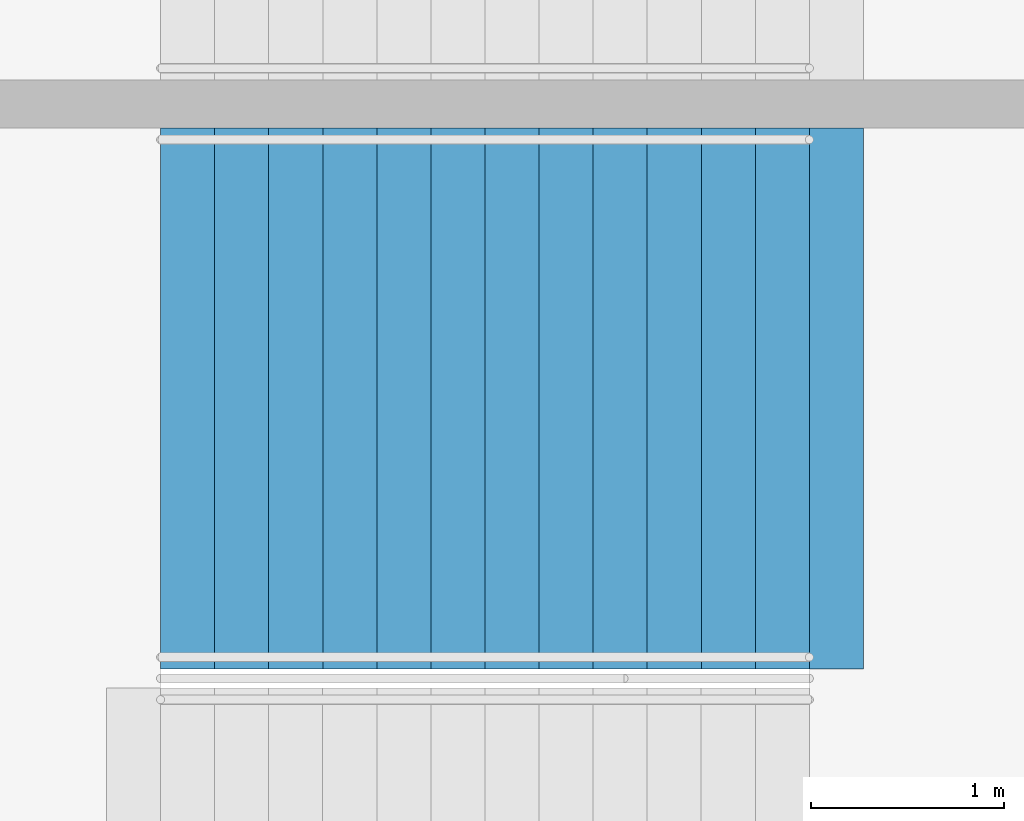
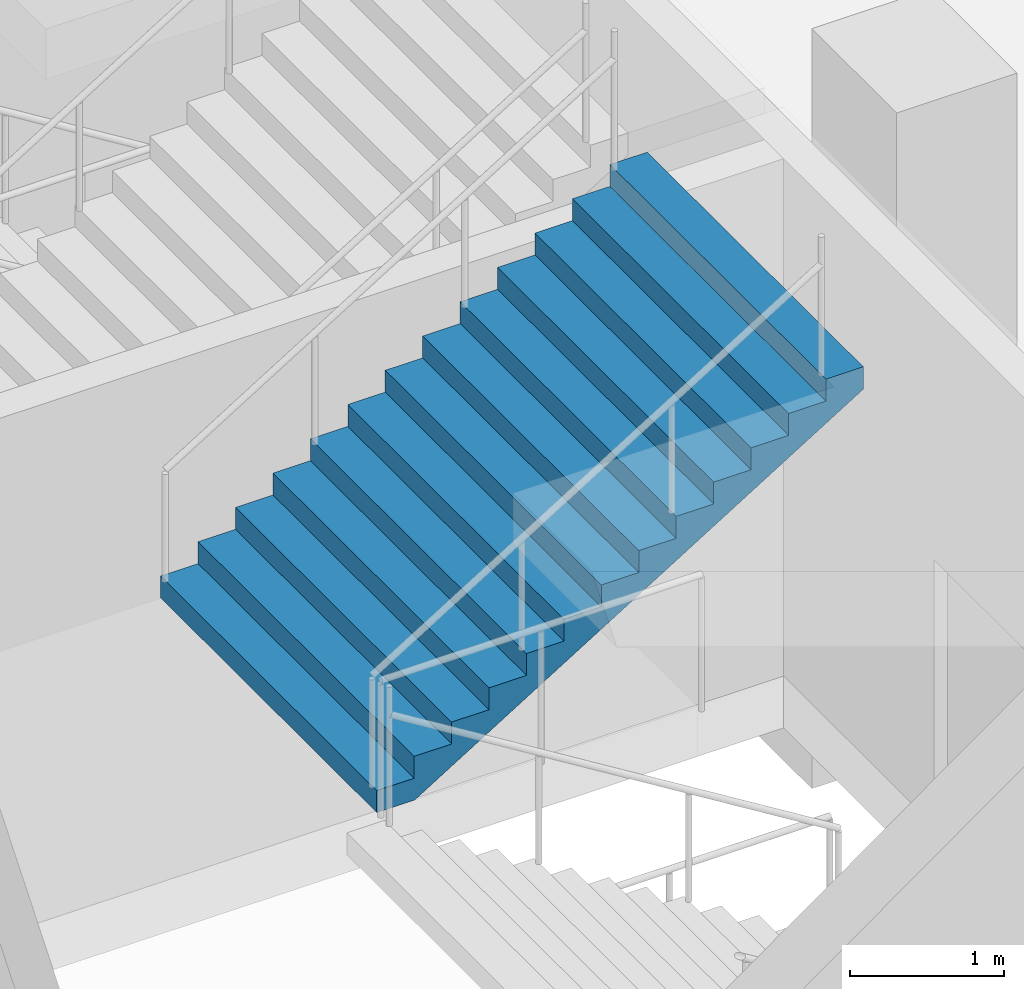
# One storey, part 117 of 199: 1 stair flight, 1 element without a shape of its own.
"""IFC4 building model written with IfcOpenShell, lengths in metres."""

from ifc_helpers import new_model, si_unit, direction, frame, origin, place, context, subcontext, project, spatial, faceted_brep, material, type_object, element, aggregate, save


model = new_model("IFC4")

# Units and contexts
model_context = context("Model", 3, precision=1e-05, world=origin(), true_north=direction((0.0, 1.0)))
body_context = subcontext(model_context, "Body", "Model", "MODEL_VIEW")
ifc_project = project(units=[si_unit("LENGTHUNIT", "METRE"), si_unit("AREAUNIT", "SQUARE_METRE"), si_unit("VOLUMEUNIT", "CUBIC_METRE"), si_unit("PLANEANGLEUNIT", "RADIAN"), si_unit("MASSUNIT", "GRAM", prefix="KILO")], contexts=[model_context])

# Site, building, storey
site_placement = place(None, origin())
site = spatial("IfcSite", under=ifc_project, at=site_placement, CompositionType="ELEMENT")
building_placement = place(site_placement, origin())
building = spatial("IfcBuilding", under=site, at=building_placement, Name="Ogive Plaza Stadium", CompositionType="ELEMENT")
storey_placement = place(building_placement, frame((0.0, 0.0, 4.5)))
storey = spatial("IfcBuildingStorey", under=building, at=storey_placement, Name="L01", CompositionType="ELEMENT", Elevation=4.5)

# Stair, stair flight
ifc_material_1 = material(Name="Concrete C40/50", Category="concrete")
stair_type = type_object("IfcStairType", Name="Exit stair", PredefinedType="STRAIGHT_RUN_STAIR", material=ifc_material_1)
stair_placement = place(storey_placement, origin())
stair = element("IfcStair", 1, at=stair_placement, inside=storey, type_object=stair_type, Name="Exit stair ST22B L01 to L02", PredefinedType="STRAIGHT_RUN_STAIR")
ifc_material_2 = material(Name="Concrete C40/50", Category="concrete")
stair_flight_type = type_object("IfcStairFlightType", Name="Exit stair flight", PredefinedType="STRAIGHT", material=ifc_material_2)
stair_flight_placement = place(storey_placement, frame((-79.7099609375, -39.02490234375, 2.25), z_axis=(0.0, 0.0, 1.0), x_axis=(1.0, 0.0, 0.0)))
stair_flight = element("IfcStairFlight", 2, at=stair_flight_placement, type_object=stair_flight_type, Name="ST22B flight 2", NumberOfRisers=13, NumberOfTreads=12, PredefinedType="STRAIGHT", RiserHeight=0.173076923, TreadLength=0.28, context=body_context, shape_type="Brep", body=[
    faceted_brep([(0.28515625, -1.39990234375, 0.0), (3.639892578125, -1.39990234375, 2.07373046875), (3.639892578125, -1.39990234375, 2.25), (3.360107421875, -1.39990234375, 2.25), (3.360107421875, -1.39990234375, 2.076904296875), (3.080078125, -1.39990234375, 2.076904296875), (3.080078125, -1.39990234375, 1.90380859375), (2.800048828125, -1.39990234375, 1.90380859375), (2.800048828125, -1.39990234375, 1.730712890625), (2.52001953125, -1.39990234375, 1.730712890625), (2.52001953125, -1.39990234375, 1.5576171875), (2.239990234375, -1.39990234375, 1.5576171875), (2.239990234375, -1.39990234375, 1.384521484375), (1.9599609375, -1.39990234375, 1.384521484375), (1.9599609375, -1.39990234375, 1.21142578125), (1.679931640625, -1.39990234375, 1.21142578125), (1.679931640625, -1.39990234375, 1.03857421875), (1.39990234375, -1.39990234375, 1.03857421875), (1.39990234375, -1.39990234375, 0.865478515625), (1.1201171875, -1.39990234375, 0.865478515625), (1.1201171875, -1.39990234375, 0.6923828125), (0.840087890625, -1.39990234375, 0.6923828125), (0.840087890625, -1.39990234375, 0.519287109375), (0.56005859375, -1.39990234375, 0.519287109375), (0.56005859375, -1.39990234375, 0.34619140625), (0.280029296875, -1.39990234375, 0.34619140625), (0.280029296875, -1.39990234375, 0.173095703125), (0.0, -1.39990234375, 0.173095703125), (0.0, -1.39990234375, 0.0), (0.0, 1.39990234375, 0.0), (0.0, 1.39990234375, 0.173095703125), (0.280029296875, 1.39990234375, 0.173095703125), (0.280029296875, 1.39990234375, 0.34619140625), (0.56005859375, 1.39990234375, 0.34619140625), (0.56005859375, 1.39990234375, 0.519287109375), (0.840087890625, 1.39990234375, 0.519287109375), (0.840087890625, 1.39990234375, 0.6923828125), (1.1201171875, 1.39990234375, 0.6923828125), (1.1201171875, 1.39990234375, 0.865478515625), (1.39990234375, 1.39990234375, 0.865478515625), (1.39990234375, 1.39990234375, 1.03857421875), (1.679931640625, 1.39990234375, 1.03857421875), (1.679931640625, 1.39990234375, 1.21142578125), (1.9599609375, 1.39990234375, 1.21142578125), (1.9599609375, 1.39990234375, 1.384521484375), (2.239990234375, 1.39990234375, 1.384521484375), (2.239990234375, 1.39990234375, 1.5576171875), (2.52001953125, 1.39990234375, 1.5576171875), (2.52001953125, 1.39990234375, 1.730712890625), (2.800048828125, 1.39990234375, 1.730712890625), (2.800048828125, 1.39990234375, 1.90380859375), (3.080078125, 1.39990234375, 1.90380859375), (3.080078125, 1.39990234375, 2.076904296875), (3.360107421875, 1.39990234375, 2.076904296875), (3.360107421875, 1.39990234375, 2.25), (3.639892578125, 1.39990234375, 2.25), (3.639892578125, 1.39990234375, 2.07373046875), (0.28515625, 1.39990234375, 0.0), (0.28515625, -1.0888671875, 0.0), (3.639892578125, -1.0888671875, 2.07373046875), (0.28515625, -0.77783203125, 0.0), (3.639892578125, -0.77783203125, 2.07373046875), (0.28515625, -0.466796875, 0.0), (3.639892578125, -0.466796875, 2.07373046875), (0.28515625, -0.155517578125, 0.0), (3.639892578125, -0.155517578125, 2.07373046875), (0.28515625, 0.155517578125, 0.0), (3.639892578125, 0.155517578125, 2.07373046875), (0.28515625, 0.466796875, 0.0), (3.639892578125, 0.466796875, 2.07373046875), (0.28515625, 0.77783203125, 0.0), (3.639892578125, 0.77783203125, 2.07373046875), (0.28515625, 1.0888671875, 0.0), (3.639892578125, 1.0888671875, 2.07373046875), (3.639892578125, -1.0888671875, 2.25), (3.639892578125, -0.77783203125, 2.25), (3.639892578125, -0.466796875, 2.25), (3.639892578125, -0.155517578125, 2.25), (3.639892578125, 0.155517578125, 2.25), (3.639892578125, 0.466796875, 2.25), (3.639892578125, 0.77783203125, 2.25), (3.639892578125, 1.0888671875, 2.25), (3.360107421875, -1.0888671875, 2.25), (3.360107421875, -0.77783203125, 2.25), (3.360107421875, -0.466796875, 2.25), (3.360107421875, -0.155517578125, 2.25), (3.360107421875, 0.155517578125, 2.25), (3.360107421875, 0.466796875, 2.25), (3.360107421875, 0.77783203125, 2.25), (3.360107421875, 1.0888671875, 2.25), (3.360107421875, -1.0888671875, 2.076904296875), (3.360107421875, -0.77783203125, 2.076904296875), (3.360107421875, -0.466796875, 2.076904296875), (3.360107421875, -0.155517578125, 2.076904296875), (3.360107421875, 0.155517578125, 2.076904296875), (3.360107421875, 0.466796875, 2.076904296875), (3.360107421875, 0.77783203125, 2.076904296875), (3.360107421875, 1.0888671875, 2.076904296875), (3.080078125, -1.0888671875, 2.076904296875), (3.080078125, -0.77783203125, 2.076904296875), (3.080078125, -0.466796875, 2.076904296875), (3.080078125, -0.155517578125, 2.076904296875), (3.080078125, 0.155517578125, 2.076904296875), (3.080078125, 0.466796875, 2.076904296875), (3.080078125, 0.77783203125, 2.076904296875), (3.080078125, 1.0888671875, 2.076904296875), (3.080078125, -1.0888671875, 1.90380859375), (3.080078125, -0.77783203125, 1.90380859375), (3.080078125, -0.466796875, 1.90380859375), (3.080078125, -0.155517578125, 1.90380859375), (3.080078125, 0.155517578125, 1.90380859375), (3.080078125, 0.466796875, 1.90380859375), (3.080078125, 0.77783203125, 1.90380859375), (3.080078125, 1.0888671875, 1.90380859375), (2.800048828125, -1.0888671875, 1.90380859375), (2.800048828125, -0.77783203125, 1.90380859375), (2.800048828125, -0.466796875, 1.90380859375), (2.800048828125, -0.155517578125, 1.90380859375), (2.800048828125, 0.155517578125, 1.90380859375), (2.800048828125, 0.466796875, 1.90380859375), (2.800048828125, 0.77783203125, 1.90380859375), (2.800048828125, 1.0888671875, 1.90380859375), (2.800048828125, -1.0888671875, 1.730712890625), (2.800048828125, -0.77783203125, 1.730712890625), (2.800048828125, -0.466796875, 1.730712890625), (2.800048828125, -0.155517578125, 1.730712890625), (2.800048828125, 0.155517578125, 1.730712890625), (2.800048828125, 0.466796875, 1.730712890625), (2.800048828125, 0.77783203125, 1.730712890625), (2.800048828125, 1.0888671875, 1.730712890625), (2.52001953125, -1.0888671875, 1.730712890625), (2.52001953125, -0.77783203125, 1.730712890625), (2.52001953125, -0.466796875, 1.730712890625), (2.52001953125, -0.155517578125, 1.730712890625), (2.52001953125, 0.155517578125, 1.730712890625), (2.52001953125, 0.466796875, 1.730712890625), (2.52001953125, 0.77783203125, 1.730712890625), (2.52001953125, 1.0888671875, 1.730712890625), (2.52001953125, -1.0888671875, 1.5576171875), (2.52001953125, -0.77783203125, 1.5576171875), (2.52001953125, -0.466796875, 1.5576171875), (2.52001953125, -0.155517578125, 1.5576171875), (2.52001953125, 0.155517578125, 1.5576171875), (2.52001953125, 0.466796875, 1.5576171875), (2.52001953125, 0.77783203125, 1.5576171875), (2.52001953125, 1.0888671875, 1.5576171875), (2.239990234375, -1.0888671875, 1.5576171875), (2.239990234375, -0.77783203125, 1.5576171875), (2.239990234375, -0.466796875, 1.5576171875), (2.239990234375, -0.155517578125, 1.5576171875), (2.239990234375, 0.155517578125, 1.5576171875), (2.239990234375, 0.466796875, 1.5576171875), (2.239990234375, 0.77783203125, 1.5576171875), (2.239990234375, 1.0888671875, 1.5576171875), (2.239990234375, -1.0888671875, 1.384521484375), (2.239990234375, -0.77783203125, 1.384521484375), (2.239990234375, -0.466796875, 1.384521484375), (2.239990234375, -0.155517578125, 1.384521484375), (2.239990234375, 0.155517578125, 1.384521484375), (2.239990234375, 0.466796875, 1.384521484375), (2.239990234375, 0.77783203125, 1.384521484375), (2.239990234375, 1.0888671875, 1.384521484375), (1.9599609375, -1.0888671875, 1.384521484375), (1.9599609375, -0.77783203125, 1.384521484375), (1.9599609375, -0.466796875, 1.384521484375), (1.9599609375, -0.155517578125, 1.384521484375), (1.9599609375, 0.155517578125, 1.384521484375), (1.9599609375, 0.466796875, 1.384521484375), (1.9599609375, 0.77783203125, 1.384521484375), (1.9599609375, 1.0888671875, 1.384521484375), (1.9599609375, -1.0888671875, 1.21142578125), (1.9599609375, -0.77783203125, 1.21142578125), (1.9599609375, -0.466796875, 1.21142578125), (1.9599609375, -0.155517578125, 1.21142578125), (1.9599609375, 0.155517578125, 1.21142578125), (1.9599609375, 0.466796875, 1.21142578125), (1.9599609375, 0.77783203125, 1.21142578125), (1.9599609375, 1.0888671875, 1.21142578125), (1.679931640625, -1.0888671875, 1.21142578125), (1.679931640625, -0.77783203125, 1.21142578125), (1.679931640625, -0.466796875, 1.21142578125), (1.679931640625, -0.155517578125, 1.21142578125), (1.679931640625, 0.155517578125, 1.21142578125), (1.679931640625, 0.466796875, 1.21142578125), (1.679931640625, 0.77783203125, 1.21142578125), (1.679931640625, 1.0888671875, 1.21142578125), (1.679931640625, -1.0888671875, 1.03857421875), (1.679931640625, -0.77783203125, 1.03857421875), (1.679931640625, -0.466796875, 1.03857421875), (1.679931640625, -0.155517578125, 1.03857421875), (1.679931640625, 0.155517578125, 1.03857421875), (1.679931640625, 0.466796875, 1.03857421875), (1.679931640625, 0.77783203125, 1.03857421875), (1.679931640625, 1.0888671875, 1.03857421875), (1.39990234375, -1.0888671875, 1.03857421875), (1.39990234375, -0.77783203125, 1.03857421875), (1.39990234375, -0.466796875, 1.03857421875), (1.39990234375, -0.155517578125, 1.03857421875), (1.39990234375, 0.155517578125, 1.03857421875), (1.39990234375, 0.466796875, 1.03857421875), (1.39990234375, 0.77783203125, 1.03857421875), (1.39990234375, 1.0888671875, 1.03857421875), (1.39990234375, -1.0888671875, 0.865478515625), (1.39990234375, -0.77783203125, 0.865478515625), (1.39990234375, -0.466796875, 0.865478515625), (1.39990234375, -0.155517578125, 0.865478515625), (1.39990234375, 0.155517578125, 0.865478515625), (1.39990234375, 0.466796875, 0.865478515625), (1.39990234375, 0.77783203125, 0.865478515625), (1.39990234375, 1.0888671875, 0.865478515625), (1.1201171875, -1.0888671875, 0.865478515625), (1.1201171875, -0.77783203125, 0.865478515625), (1.1201171875, -0.466796875, 0.865478515625), (1.1201171875, -0.155517578125, 0.865478515625), (1.1201171875, 0.155517578125, 0.865478515625), (1.1201171875, 0.466796875, 0.865478515625), (1.1201171875, 0.77783203125, 0.865478515625), (1.1201171875, 1.0888671875, 0.865478515625), (1.1201171875, -1.0888671875, 0.6923828125), (1.1201171875, -0.77783203125, 0.6923828125), (1.1201171875, -0.466796875, 0.6923828125), (1.1201171875, -0.155517578125, 0.6923828125), (1.1201171875, 0.155517578125, 0.6923828125), (1.1201171875, 0.466796875, 0.6923828125), (1.1201171875, 0.77783203125, 0.6923828125), (1.1201171875, 1.0888671875, 0.6923828125), (0.840087890625, -1.0888671875, 0.6923828125), (0.840087890625, -0.77783203125, 0.6923828125), (0.840087890625, -0.466796875, 0.6923828125), (0.840087890625, -0.155517578125, 0.6923828125), (0.840087890625, 0.155517578125, 0.6923828125), (0.840087890625, 0.466796875, 0.6923828125), (0.840087890625, 0.77783203125, 0.6923828125), (0.840087890625, 1.0888671875, 0.6923828125), (0.840087890625, -1.0888671875, 0.519287109375), (0.840087890625, -0.77783203125, 0.519287109375), (0.840087890625, -0.466796875, 0.519287109375), (0.840087890625, -0.155517578125, 0.519287109375), (0.840087890625, 0.155517578125, 0.519287109375), (0.840087890625, 0.466796875, 0.519287109375), (0.840087890625, 0.77783203125, 0.519287109375), (0.840087890625, 1.0888671875, 0.519287109375), (0.56005859375, -1.0888671875, 0.519287109375), (0.56005859375, -0.77783203125, 0.519287109375), (0.56005859375, -0.466796875, 0.519287109375), (0.56005859375, -0.155517578125, 0.519287109375), (0.56005859375, 0.155517578125, 0.519287109375), (0.56005859375, 0.466796875, 0.519287109375), (0.56005859375, 0.77783203125, 0.519287109375), (0.56005859375, 1.0888671875, 0.519287109375), (0.56005859375, -1.0888671875, 0.34619140625), (0.56005859375, -0.77783203125, 0.34619140625), (0.56005859375, -0.466796875, 0.34619140625), (0.56005859375, -0.155517578125, 0.34619140625), (0.56005859375, 0.155517578125, 0.34619140625), (0.56005859375, 0.466796875, 0.34619140625), (0.56005859375, 0.77783203125, 0.34619140625), (0.56005859375, 1.0888671875, 0.34619140625), (0.280029296875, -1.0888671875, 0.34619140625), (0.280029296875, -0.77783203125, 0.34619140625), (0.280029296875, -0.466796875, 0.34619140625), (0.280029296875, -0.155517578125, 0.34619140625), (0.280029296875, 0.155517578125, 0.34619140625), (0.280029296875, 0.466796875, 0.34619140625), (0.280029296875, 0.77783203125, 0.34619140625), (0.280029296875, 1.0888671875, 0.34619140625), (0.280029296875, -1.0888671875, 0.173095703125), (0.280029296875, -0.77783203125, 0.173095703125), (0.280029296875, -0.466796875, 0.173095703125), (0.280029296875, -0.155517578125, 0.173095703125), (0.280029296875, 0.155517578125, 0.173095703125), (0.280029296875, 0.466796875, 0.173095703125), (0.280029296875, 0.77783203125, 0.173095703125), (0.280029296875, 1.0888671875, 0.173095703125), (0.0, -1.0888671875, 0.173095703125), (0.0, -0.77783203125, 0.173095703125), (0.0, -0.466796875, 0.173095703125), (0.0, -0.155517578125, 0.173095703125), (0.0, 0.155517578125, 0.173095703125), (0.0, 0.466796875, 0.173095703125), (0.0, 0.77783203125, 0.173095703125), (0.0, 1.0888671875, 0.173095703125), (0.0, -1.0888671875, 0.0), (0.0, -0.77783203125, 0.0), (0.0, -0.466796875, 0.0), (0.0, -0.155517578125, 0.0), (0.0, 0.155517578125, 0.0), (0.0, 0.466796875, 0.0), (0.0, 0.77783203125, 0.0), (0.0, 1.0888671875, 0.0)], [[[0, 1, 2, 3, 4, 5, 6, 7, 8, 9, 10, 11, 12, 13, 14, 15, 16, 17, 18, 19, 20, 21, 22, 23, 24, 25, 26, 27, 28]], [[29, 30, 31, 32, 33, 34, 35, 36, 37, 38, 39, 40, 41, 42, 43, 44, 45, 46, 47, 48, 49, 50, 51, 52, 53, 54, 55, 56, 57]], [[0, 58, 59, 1]], [[58, 60, 61, 59]], [[60, 62, 63, 61]], [[62, 64, 65, 63]], [[64, 66, 67, 65]], [[66, 68, 69, 67]], [[68, 70, 71, 69]], [[70, 72, 73, 71]], [[72, 57, 56, 73]], [[1, 59, 74, 2]], [[59, 61, 75, 74]], [[61, 63, 76, 75]], [[63, 65, 77, 76]], [[65, 67, 78, 77]], [[67, 69, 79, 78]], [[69, 71, 80, 79]], [[71, 73, 81, 80]], [[73, 56, 55, 81]], [[2, 74, 82, 3]], [[74, 75, 83, 82]], [[75, 76, 84, 83]], [[76, 77, 85, 84]], [[77, 78, 86, 85]], [[78, 79, 87, 86]], [[79, 80, 88, 87]], [[80, 81, 89, 88]], [[81, 55, 54, 89]], [[3, 82, 90, 4]], [[82, 83, 91, 90]], [[83, 84, 92, 91]], [[84, 85, 93, 92]], [[85, 86, 94, 93]], [[86, 87, 95, 94]], [[87, 88, 96, 95]], [[88, 89, 97, 96]], [[89, 54, 53, 97]], [[4, 90, 98, 5]], [[90, 91, 99, 98]], [[91, 92, 100, 99]], [[92, 93, 101, 100]], [[93, 94, 102, 101]], [[94, 95, 103, 102]], [[95, 96, 104, 103]], [[96, 97, 105, 104]], [[97, 53, 52, 105]], [[5, 98, 106, 6]], [[98, 99, 107, 106]], [[99, 100, 108, 107]], [[100, 101, 109, 108]], [[101, 102, 110, 109]], [[102, 103, 111, 110]], [[103, 104, 112, 111]], [[104, 105, 113, 112]], [[105, 52, 51, 113]], [[6, 106, 114, 7]], [[106, 107, 115, 114]], [[107, 108, 116, 115]], [[108, 109, 117, 116]], [[109, 110, 118, 117]], [[110, 111, 119, 118]], [[111, 112, 120, 119]], [[112, 113, 121, 120]], [[113, 51, 50, 121]], [[7, 114, 122, 8]], [[114, 115, 123, 122]], [[115, 116, 124, 123]], [[116, 117, 125, 124]], [[117, 118, 126, 125]], [[118, 119, 127, 126]], [[119, 120, 128, 127]], [[120, 121, 129, 128]], [[121, 50, 49, 129]], [[8, 122, 130, 9]], [[122, 123, 131, 130]], [[123, 124, 132, 131]], [[124, 125, 133, 132]], [[125, 126, 134, 133]], [[126, 127, 135, 134]], [[127, 128, 136, 135]], [[128, 129, 137, 136]], [[129, 49, 48, 137]], [[9, 130, 138, 10]], [[130, 131, 139, 138]], [[131, 132, 140, 139]], [[132, 133, 141, 140]], [[133, 134, 142, 141]], [[134, 135, 143, 142]], [[135, 136, 144, 143]], [[136, 137, 145, 144]], [[137, 48, 47, 145]], [[10, 138, 146, 11]], [[138, 139, 147, 146]], [[139, 140, 148, 147]], [[140, 141, 149, 148]], [[141, 142, 150, 149]], [[142, 143, 151, 150]], [[143, 144, 152, 151]], [[144, 145, 153, 152]], [[145, 47, 46, 153]], [[11, 146, 154, 12]], [[146, 147, 155, 154]], [[147, 148, 156, 155]], [[148, 149, 157, 156]], [[149, 150, 158, 157]], [[150, 151, 159, 158]], [[151, 152, 160, 159]], [[152, 153, 161, 160]], [[153, 46, 45, 161]], [[12, 154, 162, 13]], [[154, 155, 163, 162]], [[155, 156, 164, 163]], [[156, 157, 165, 164]], [[157, 158, 166, 165]], [[158, 159, 167, 166]], [[159, 160, 168, 167]], [[160, 161, 169, 168]], [[161, 45, 44, 169]], [[13, 162, 170, 14]], [[162, 163, 171, 170]], [[163, 164, 172, 171]], [[164, 165, 173, 172]], [[165, 166, 174, 173]], [[166, 167, 175, 174]], [[167, 168, 176, 175]], [[168, 169, 177, 176]], [[169, 44, 43, 177]], [[14, 170, 178, 15]], [[170, 171, 179, 178]], [[171, 172, 180, 179]], [[172, 173, 181, 180]], [[173, 174, 182, 181]], [[174, 175, 183, 182]], [[175, 176, 184, 183]], [[176, 177, 185, 184]], [[177, 43, 42, 185]], [[15, 178, 186, 16]], [[178, 179, 187, 186]], [[179, 180, 188, 187]], [[180, 181, 189, 188]], [[181, 182, 190, 189]], [[182, 183, 191, 190]], [[183, 184, 192, 191]], [[184, 185, 193, 192]], [[185, 42, 41, 193]], [[16, 186, 194, 17]], [[186, 187, 195, 194]], [[187, 188, 196, 195]], [[188, 189, 197, 196]], [[189, 190, 198, 197]], [[190, 191, 199, 198]], [[191, 192, 200, 199]], [[192, 193, 201, 200]], [[193, 41, 40, 201]], [[17, 194, 202, 18]], [[194, 195, 203, 202]], [[195, 196, 204, 203]], [[196, 197, 205, 204]], [[197, 198, 206, 205]], [[198, 199, 207, 206]], [[199, 200, 208, 207]], [[200, 201, 209, 208]], [[201, 40, 39, 209]], [[18, 202, 210, 19]], [[202, 203, 211, 210]], [[203, 204, 212, 211]], [[204, 205, 213, 212]], [[205, 206, 214, 213]], [[206, 207, 215, 214]], [[207, 208, 216, 215]], [[208, 209, 217, 216]], [[209, 39, 38, 217]], [[19, 210, 218, 20]], [[210, 211, 219, 218]], [[211, 212, 220, 219]], [[212, 213, 221, 220]], [[213, 214, 222, 221]], [[214, 215, 223, 222]], [[215, 216, 224, 223]], [[216, 217, 225, 224]], [[217, 38, 37, 225]], [[20, 218, 226, 21]], [[218, 219, 227, 226]], [[219, 220, 228, 227]], [[220, 221, 229, 228]], [[221, 222, 230, 229]], [[222, 223, 231, 230]], [[223, 224, 232, 231]], [[224, 225, 233, 232]], [[225, 37, 36, 233]], [[21, 226, 234, 22]], [[226, 227, 235, 234]], [[227, 228, 236, 235]], [[228, 229, 237, 236]], [[229, 230, 238, 237]], [[230, 231, 239, 238]], [[231, 232, 240, 239]], [[232, 233, 241, 240]], [[233, 36, 35, 241]], [[22, 234, 242, 23]], [[234, 235, 243, 242]], [[235, 236, 244, 243]], [[236, 237, 245, 244]], [[237, 238, 246, 245]], [[238, 239, 247, 246]], [[239, 240, 248, 247]], [[240, 241, 249, 248]], [[241, 35, 34, 249]], [[23, 242, 250, 24]], [[242, 243, 251, 250]], [[243, 244, 252, 251]], [[244, 245, 253, 252]], [[245, 246, 254, 253]], [[246, 247, 255, 254]], [[247, 248, 256, 255]], [[248, 249, 257, 256]], [[249, 34, 33, 257]], [[24, 250, 258, 25]], [[250, 251, 259, 258]], [[251, 252, 260, 259]], [[252, 253, 261, 260]], [[253, 254, 262, 261]], [[254, 255, 263, 262]], [[255, 256, 264, 263]], [[256, 257, 265, 264]], [[257, 33, 32, 265]], [[25, 258, 266, 26]], [[258, 259, 267, 266]], [[259, 260, 268, 267]], [[260, 261, 269, 268]], [[261, 262, 270, 269]], [[262, 263, 271, 270]], [[263, 264, 272, 271]], [[264, 265, 273, 272]], [[265, 32, 31, 273]], [[26, 266, 274, 27]], [[266, 267, 275, 274]], [[267, 268, 276, 275]], [[268, 269, 277, 276]], [[269, 270, 278, 277]], [[270, 271, 279, 278]], [[271, 272, 280, 279]], [[272, 273, 281, 280]], [[273, 31, 30, 281]], [[27, 274, 282, 28]], [[274, 275, 283, 282]], [[275, 276, 284, 283]], [[276, 277, 285, 284]], [[277, 278, 286, 285]], [[278, 279, 287, 286]], [[279, 280, 288, 287]], [[280, 281, 289, 288]], [[281, 30, 29, 289]], [[28, 282, 58, 0]], [[282, 283, 60, 58]], [[283, 284, 62, 60]], [[284, 285, 64, 62]], [[285, 286, 66, 64]], [[286, 287, 68, 66]], [[287, 288, 70, 68]], [[288, 289, 72, 70]], [[289, 29, 57, 72]]]),
])
aggregate(stair, [stair_flight])

save(model, "model.ifc")
